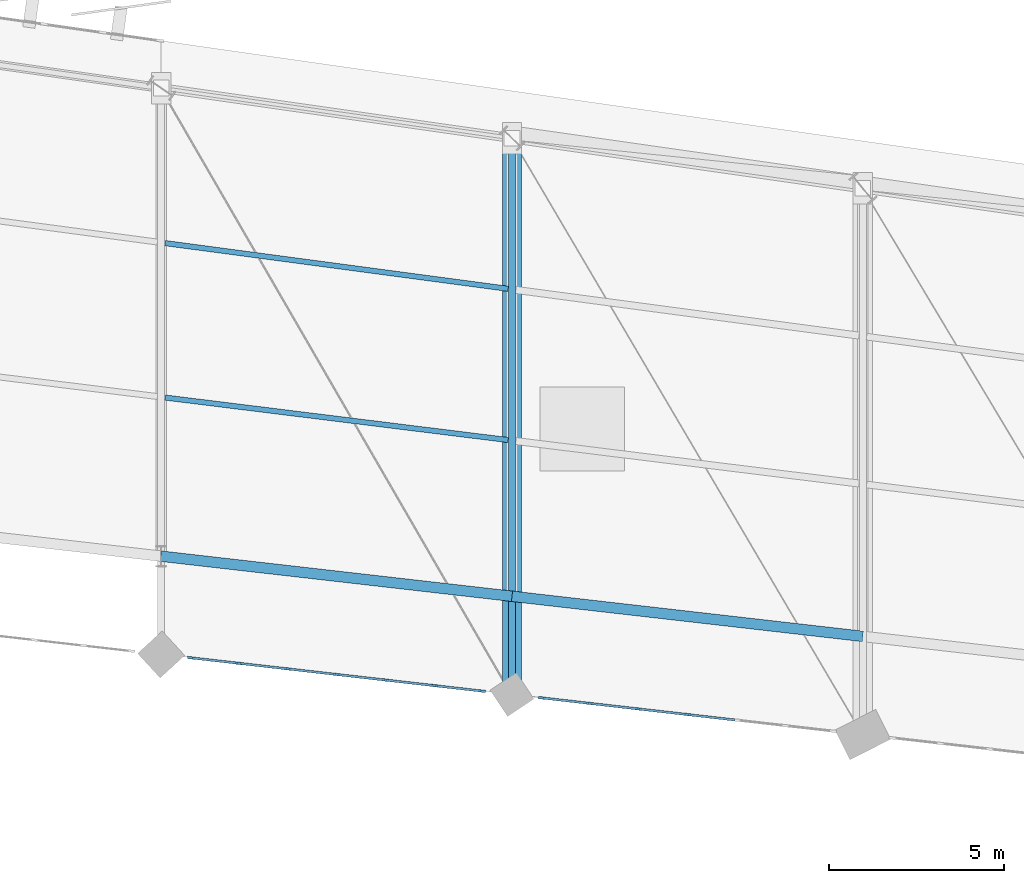
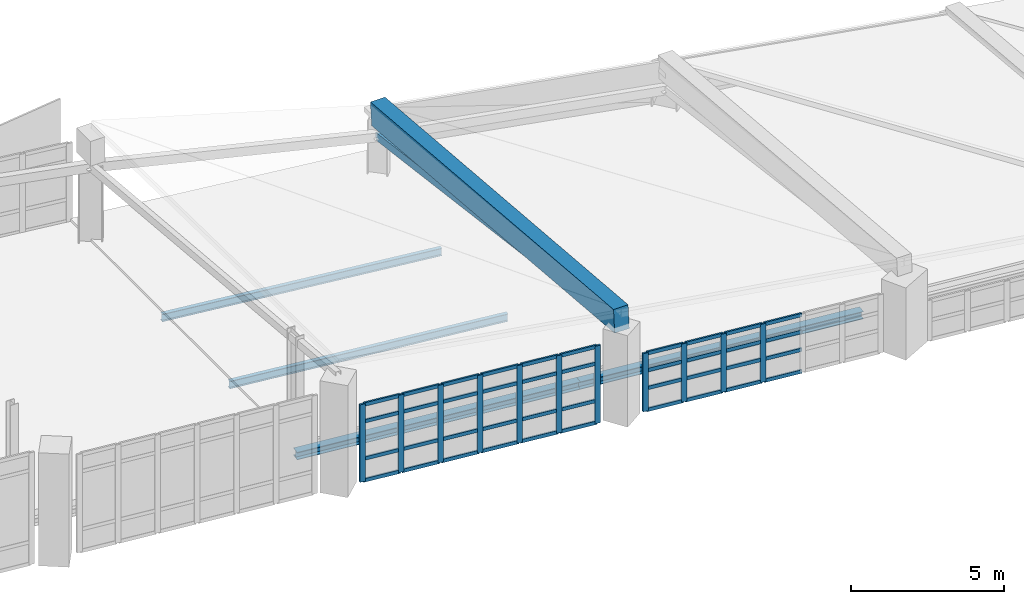
# One storey, part 40 of 67: 52 members, 5 beams, 2 elements without a shape of their own.
"""IFC4 building model written with IfcOpenShell, lengths in metres."""

from ifc_helpers import new_model, si_unit, direction, frame, origin, origin_2d, place, context, subcontext, project, spatial, rectangle, hollow_rectangle, i_section, extrude, material, layer, layer_set, material_profile, profile_set, type_object, element, aggregate, save


model = new_model("IFC4")

# Units and contexts
model_context = context("Model", 3, precision=1e-05, world=origin(), true_north=direction((0.0, 1.0)))
body_context = subcontext(model_context, "Body", "Model", "MODEL_VIEW")
ifc_project = project(units=[si_unit("LENGTHUNIT", "METRE"), si_unit("AREAUNIT", "SQUARE_METRE"), si_unit("VOLUMEUNIT", "CUBIC_METRE"), si_unit("PLANEANGLEUNIT", "RADIAN"), si_unit("MASSUNIT", "GRAM", prefix="KILO")], contexts=[model_context])

# Site, building, storey
site_placement = place(None, origin())
site = spatial("IfcSite", under=ifc_project, at=site_placement, CompositionType="ELEMENT")
building_placement = place(site_placement, origin())
building = spatial("IfcBuilding", under=site, at=building_placement, Name="Sohan Crest Arena", CompositionType="ELEMENT")
storey_placement = place(building_placement, frame((0.0, 0.0, 22.5)))
storey = spatial("IfcBuildingStorey", under=building, at=storey_placement, Name="L05", CompositionType="ELEMENT", Elevation=22.5)

# Curtain wall, members
ifc_material_1 = material(Name="Thermally broken anodised aluminium", Category="aluminium")
ifc_layer = layer(ifc_material_1, 0.18994140625, Name="Thermally broken anodised aluminium")
ifc_layer_set = layer_set([ifc_layer], Name="Thermally broken anodised aluminium")
curtain_wall_type = type_object("IfcCurtainWallType", Name="ARC-CW05", PredefinedType="NOTDEFINED", material=ifc_layer_set)
curtain_wall_1_placement = place(storey_placement, origin())
curtain_wall_1 = element("IfcCurtainWall", 1, at=curtain_wall_1_placement, inside=storey, type_object=curtain_wall_type, Name="Unitised curtain wall CW-196", PredefinedType="NOTDEFINED")
ifc_material_profile_1 = material_profile(ifc_material_1, rectangle(XDim=0.070068359375, YDim=0.199951171875, at=origin_2d()), Name="ALU-MULL 70x200")
ifc_profile_set_1 = profile_set([ifc_material_profile_1], Name="Thermally broken anodised aluminium")
member_type_1 = type_object("IfcMemberType", Name="ARC-CW-ML03", PredefinedType="MULLION", material=ifc_profile_set_1)
member_1_placement = place(storey_placement, frame((143.0, 103.857421875, 0.0), z_axis=(0.0, 0.0, 1.0), x_axis=(-0.11359680696, -0.993526932422, 0.0)))
member_1 = element("IfcMember", 2, at=member_1_placement, type_object=member_type_1, Name="CW-196 mullion 4", PredefinedType="MULLION", context=body_context, shape_type="SweptSolid", body=[
    extrude(rectangle(XDim=0.070068359375, YDim=0.199951171875, at=origin_2d()), origin(), (0.0, 0.0, 1.0), 2.31298828125),
])
member_2_placement = place(storey_placement, frame((141.60498046875, 104.01708984375, 0.0), z_axis=(0.0, 0.0, 1.0), x_axis=(-0.11359680696, -0.993526932422, 0.0)))
member_2 = element("IfcMember", 3, at=member_2_placement, type_object=member_type_1, Name="CW-196 mullion 5", PredefinedType="MULLION", context=body_context, shape_type="SweptSolid", body=[
    extrude(rectangle(XDim=0.070068359375, YDim=0.199951171875, at=origin_2d()), origin(), (0.0, 0.0, 1.0), 2.31298828125),
])
member_3_placement = place(storey_placement, frame((140.2099609375, 104.176513671875, 0.0), z_axis=(0.0, 0.0, 1.0), x_axis=(-0.11359680696, -0.993526932422, 0.0)))
member_3 = element("IfcMember", 4, at=member_3_placement, type_object=member_type_1, Name="CW-196 mullion 6", PredefinedType="MULLION", context=body_context, shape_type="SweptSolid", body=[
    extrude(rectangle(XDim=0.070068359375, YDim=0.199951171875, at=origin_2d()), origin(), (0.0, 0.0, 1.0), 2.31298828125),
])
member_4_placement = place(storey_placement, frame((138.849853515625, 104.33203125, 0.0), z_axis=(0.0, 0.0, 1.0), x_axis=(-0.11359680696, -0.993526932422, 0.0)))
member_4 = element("IfcMember", 5, at=member_4_placement, type_object=member_type_1, Name="CW-196 mullion 7", PredefinedType="MULLION", context=body_context, shape_type="SweptSolid", body=[
    extrude(rectangle(XDim=0.070068359375, YDim=0.199951171875, at=origin_2d()), origin(), (0.0, 0.0, 1.0), 2.31298828125),
])

curtain_wall_2_placement = place(storey_placement, origin())
curtain_wall_2 = element("IfcCurtainWall", 6, at=curtain_wall_2_placement, inside=storey, type_object=curtain_wall_type, Name="Unitised curtain wall CW-197", PredefinedType="NOTDEFINED")
member_5_placement = place(storey_placement, frame((137.150146484375, 104.52587890625, 0.0), z_axis=(0.0, 0.0, 1.0), x_axis=(-0.1134796354, -0.993540322458, 0.0)))
member_5 = element("IfcMember", 7, at=member_5_placement, type_object=member_type_1, Name="CW-197 mullion 1", PredefinedType="MULLION", context=body_context, shape_type="SweptSolid", body=[
    extrude(rectangle(XDim=0.070068359375, YDim=0.199951171875, at=origin_2d()), origin(), (0.0, 0.0, 1.0), 3.0849609375),
])
member_6_placement = place(storey_placement, frame((135.7900390625, 104.681396484375, 0.0), z_axis=(0.0, 0.0, 1.0), x_axis=(-0.1134796354, -0.993540322458, 0.0)))
member_6 = element("IfcMember", 8, at=member_6_placement, type_object=member_type_1, Name="CW-197 mullion 2", PredefinedType="MULLION", context=body_context, shape_type="SweptSolid", body=[
    extrude(rectangle(XDim=0.070068359375, YDim=0.199951171875, at=origin_2d()), origin(), (0.0, 0.0, 1.0), 3.0849609375),
])
member_7_placement = place(storey_placement, frame((134.39501953125, 104.840576171875, 0.0), z_axis=(0.0, 0.0, 1.0), x_axis=(-0.1134796354, -0.993540322458, 0.0)))
member_7 = element("IfcMember", 9, at=member_7_placement, type_object=member_type_1, Name="CW-197 mullion 3", PredefinedType="MULLION", context=body_context, shape_type="SweptSolid", body=[
    extrude(rectangle(XDim=0.070068359375, YDim=0.199951171875, at=origin_2d()), origin(), (0.0, 0.0, 1.0), 3.0849609375),
])
member_8_placement = place(storey_placement, frame((133.0, 105.0, 0.0), z_axis=(0.0, 0.0, 1.0), x_axis=(-0.1134796354, -0.993540322458, 0.0)))
member_8 = element("IfcMember", 10, at=member_8_placement, type_object=member_type_1, Name="CW-197 mullion 4", PredefinedType="MULLION", context=body_context, shape_type="SweptSolid", body=[
    extrude(rectangle(XDim=0.070068359375, YDim=0.199951171875, at=origin_2d()), origin(), (0.0, 0.0, 1.0), 3.0849609375),
])
member_9_placement = place(storey_placement, frame((131.60498046875, 105.159423828125, 0.0), z_axis=(0.0, 0.0, 1.0), x_axis=(-0.1134796354, -0.993540322458, 0.0)))
member_9 = element("IfcMember", 11, at=member_9_placement, type_object=member_type_1, Name="CW-197 mullion 5", PredefinedType="MULLION", context=body_context, shape_type="SweptSolid", body=[
    extrude(rectangle(XDim=0.070068359375, YDim=0.199951171875, at=origin_2d()), origin(), (0.0, 0.0, 1.0), 3.0849609375),
])
member_10_placement = place(storey_placement, frame((130.2099609375, 105.318603515625, 0.0), z_axis=(0.0, 0.0, 1.0), x_axis=(-0.1134796354, -0.993540322458, 0.0)))
member_10 = element("IfcMember", 12, at=member_10_placement, type_object=member_type_1, Name="CW-197 mullion 6", PredefinedType="MULLION", context=body_context, shape_type="SweptSolid", body=[
    extrude(rectangle(XDim=0.070068359375, YDim=0.199951171875, at=origin_2d()), origin(), (0.0, 0.0, 1.0), 3.0849609375),
])
member_11_placement = place(storey_placement, frame((128.849853515625, 105.47412109375, 0.0), z_axis=(0.0, 0.0, 1.0), x_axis=(-0.1134796354, -0.993540322458, 0.0)))
member_11 = element("IfcMember", 13, at=member_11_placement, type_object=member_type_1, Name="CW-197 mullion 7", PredefinedType="MULLION", context=body_context, shape_type="SweptSolid", body=[
    extrude(rectangle(XDim=0.070068359375, YDim=0.199951171875, at=origin_2d()), origin(), (0.0, 0.0, 1.0), 3.0849609375),
])

# Member
ifc_material_profile_2 = material_profile(ifc_material_1, rectangle(XDim=0.06494140625, YDim=0.139892578125, at=origin_2d()), Name="ALU-TRAN 65x140")
ifc_profile_set_2 = profile_set([ifc_material_profile_2], Name="Thermally broken anodised aluminium")
member_type_2 = type_object("IfcMemberType", Name="ARC-CW-TR02", PredefinedType="USERDEFINED", material=ifc_profile_set_2)
member_12_placement = place(storey_placement, frame((144.360107421875, 103.701904296875, 0.032470703125), z_axis=(-0.993521460563, 0.113644654082, 0.0), x_axis=(-0.113644654082, -0.993521460563, 0.0)))
member_12 = element("IfcMember", 14, at=member_12_placement, type_object=member_type_2, Name="CW-196 transom 3.1", ObjectType="TRANSOM", PredefinedType="USERDEFINED", context=body_context, shape_type="SweptSolid", body=[
    extrude(rectangle(XDim=0.06494140625, YDim=0.139892578125, at=origin_2d()), origin(), (0.0, 0.0, 1.0), 1.333984375),
])

member_13_placement = place(storey_placement, frame((144.360107421875, 103.701904296875, 0.89990234375), z_axis=(-0.993521460563, 0.113644654082, 0.0), x_axis=(-0.113644654082, -0.993521460563, 0.0)))
member_13 = element("IfcMember", 15, at=member_13_placement, type_object=member_type_2, Name="CW-196 transom 3.2", ObjectType="TRANSOM", PredefinedType="USERDEFINED", context=body_context, shape_type="SweptSolid", body=[
    extrude(rectangle(XDim=0.06494140625, YDim=0.139892578125, at=origin_2d()), origin(), (0.0, 0.0, 1.0), 1.333984375),
])

member_14_placement = place(storey_placement, frame((144.360107421875, 103.701904296875, 1.613037109375), z_axis=(-0.993521460563, 0.113644654082, 0.0), x_axis=(-0.113644654082, -0.993521460563, 0.0)))
member_14 = element("IfcMember", 16, at=member_14_placement, type_object=member_type_2, Name="CW-196 transom 3.3", ObjectType="TRANSOM", PredefinedType="USERDEFINED", context=body_context, shape_type="SweptSolid", body=[
    extrude(rectangle(XDim=0.06494140625, YDim=0.139892578125, at=origin_2d()), origin(), (0.0, 0.0, 1.0), 1.333984375),
])

member_15_placement = place(storey_placement, frame((144.360107421875, 103.701904296875, 2.280517578125), z_axis=(-0.993521460563, 0.113644654082, 0.0), x_axis=(-0.113644654082, -0.993521460563, 0.0)))
member_15 = element("IfcMember", 17, at=member_15_placement, type_object=member_type_2, Name="CW-196 transom 3.4", ObjectType="TRANSOM", PredefinedType="USERDEFINED", context=body_context, shape_type="SweptSolid", body=[
    extrude(rectangle(XDim=0.06494140625, YDim=0.139892578125, at=origin_2d()), origin(), (0.0, 0.0, 1.0), 1.333984375),
])

member_16_placement = place(storey_placement, frame((142.96533203125, 103.861572265625, 0.032470703125), z_axis=(-0.993542107108, 0.113464009285, 0.0), x_axis=(-0.113464009285, -0.993542107108, 0.0)))
member_16 = element("IfcMember", 18, at=member_16_placement, type_object=member_type_2, Name="CW-196 transom 4.1", ObjectType="TRANSOM", PredefinedType="USERDEFINED", context=body_context, shape_type="SweptSolid", body=[
    extrude(rectangle(XDim=0.06494140625, YDim=0.139892578125, at=origin_2d()), origin(), (0.0, 0.0, 1.0), 1.333984375),
])

member_17_placement = place(storey_placement, frame((142.96533203125, 103.861572265625, 0.89990234375), z_axis=(-0.993542107108, 0.113464009285, 0.0), x_axis=(-0.113464009285, -0.993542107108, 0.0)))
member_17 = element("IfcMember", 19, at=member_17_placement, type_object=member_type_2, Name="CW-196 transom 4.2", ObjectType="TRANSOM", PredefinedType="USERDEFINED", context=body_context, shape_type="SweptSolid", body=[
    extrude(rectangle(XDim=0.06494140625, YDim=0.139892578125, at=origin_2d()), origin(), (0.0, 0.0, 1.0), 1.333984375),
])

member_18_placement = place(storey_placement, frame((142.96533203125, 103.861572265625, 1.613037109375), z_axis=(-0.993542107108, 0.113464009285, 0.0), x_axis=(-0.113464009285, -0.993542107108, 0.0)))
member_18 = element("IfcMember", 20, at=member_18_placement, type_object=member_type_2, Name="CW-196 transom 4.3", ObjectType="TRANSOM", PredefinedType="USERDEFINED", context=body_context, shape_type="SweptSolid", body=[
    extrude(rectangle(XDim=0.06494140625, YDim=0.139892578125, at=origin_2d()), origin(), (0.0, 0.0, 1.0), 1.333984375),
])

member_19_placement = place(storey_placement, frame((142.96533203125, 103.861572265625, 2.280517578125), z_axis=(-0.993542107108, 0.113464009285, 0.0), x_axis=(-0.113464009285, -0.993542107108, 0.0)))
member_19 = element("IfcMember", 21, at=member_19_placement, type_object=member_type_2, Name="CW-196 transom 4.4", ObjectType="TRANSOM", PredefinedType="USERDEFINED", context=body_context, shape_type="SweptSolid", body=[
    extrude(rectangle(XDim=0.06494140625, YDim=0.139892578125, at=origin_2d()), origin(), (0.0, 0.0, 1.0), 1.333984375),
])

member_20_placement = place(storey_placement, frame((141.5703125, 104.02099609375, 0.032470703125), z_axis=(-0.993521460563, 0.113644654082, 0.0), x_axis=(-0.113644654082, -0.993521460563, 0.0)))
member_20 = element("IfcMember", 22, at=member_20_placement, type_object=member_type_2, Name="CW-196 transom 5.1", ObjectType="TRANSOM", PredefinedType="USERDEFINED", context=body_context, shape_type="SweptSolid", body=[
    extrude(rectangle(XDim=0.06494140625, YDim=0.139892578125, at=origin_2d()), origin(), (0.0, 0.0, 1.0), 1.333984375),
])

member_21_placement = place(storey_placement, frame((141.5703125, 104.02099609375, 0.89990234375), z_axis=(-0.993521460563, 0.113644654082, 0.0), x_axis=(-0.113644654082, -0.993521460563, 0.0)))
member_21 = element("IfcMember", 23, at=member_21_placement, type_object=member_type_2, Name="CW-196 transom 5.2", ObjectType="TRANSOM", PredefinedType="USERDEFINED", context=body_context, shape_type="SweptSolid", body=[
    extrude(rectangle(XDim=0.06494140625, YDim=0.139892578125, at=origin_2d()), origin(), (0.0, 0.0, 1.0), 1.333984375),
])

member_22_placement = place(storey_placement, frame((141.5703125, 104.02099609375, 1.613037109375), z_axis=(-0.993521460563, 0.113644654082, 0.0), x_axis=(-0.113644654082, -0.993521460563, 0.0)))
member_22 = element("IfcMember", 24, at=member_22_placement, type_object=member_type_2, Name="CW-196 transom 5.3", ObjectType="TRANSOM", PredefinedType="USERDEFINED", context=body_context, shape_type="SweptSolid", body=[
    extrude(rectangle(XDim=0.06494140625, YDim=0.139892578125, at=origin_2d()), origin(), (0.0, 0.0, 1.0), 1.333984375),
])

member_23_placement = place(storey_placement, frame((141.5703125, 104.02099609375, 2.280517578125), z_axis=(-0.993521460563, 0.113644654082, 0.0), x_axis=(-0.113644654082, -0.993521460563, 0.0)))
member_23 = element("IfcMember", 25, at=member_23_placement, type_object=member_type_2, Name="CW-196 transom 5.4", ObjectType="TRANSOM", PredefinedType="USERDEFINED", context=body_context, shape_type="SweptSolid", body=[
    extrude(rectangle(XDim=0.06494140625, YDim=0.139892578125, at=origin_2d()), origin(), (0.0, 0.0, 1.0), 1.333984375),
])

member_24_placement = place(storey_placement, frame((140.17529296875, 104.180419921875, 0.032470703125), z_axis=(-0.99351630859, 0.113689685398, 0.0), x_axis=(-0.113689685398, -0.99351630859, 0.0)))
member_24 = element("IfcMember", 26, at=member_24_placement, type_object=member_type_2, Name="CW-196 transom 6.1", ObjectType="TRANSOM", PredefinedType="USERDEFINED", context=body_context, shape_type="SweptSolid", body=[
    extrude(rectangle(XDim=0.06494140625, YDim=0.139892578125, at=origin_2d()), origin(), (0.0, 0.0, 1.0), 1.29931640625),
])

member_25_placement = place(storey_placement, frame((140.17529296875, 104.180419921875, 0.89990234375), z_axis=(-0.99351630859, 0.113689685398, 0.0), x_axis=(-0.113689685398, -0.99351630859, 0.0)))
member_25 = element("IfcMember", 27, at=member_25_placement, type_object=member_type_2, Name="CW-196 transom 6.2", ObjectType="TRANSOM", PredefinedType="USERDEFINED", context=body_context, shape_type="SweptSolid", body=[
    extrude(rectangle(XDim=0.06494140625, YDim=0.139892578125, at=origin_2d()), origin(), (0.0, 0.0, 1.0), 1.29931640625),
])

member_26_placement = place(storey_placement, frame((140.17529296875, 104.180419921875, 1.613037109375), z_axis=(-0.99351630859, 0.113689685398, 0.0), x_axis=(-0.113689685398, -0.99351630859, 0.0)))
member_26 = element("IfcMember", 28, at=member_26_placement, type_object=member_type_2, Name="CW-196 transom 6.3", ObjectType="TRANSOM", PredefinedType="USERDEFINED", context=body_context, shape_type="SweptSolid", body=[
    extrude(rectangle(XDim=0.06494140625, YDim=0.139892578125, at=origin_2d()), origin(), (0.0, 0.0, 1.0), 1.29931640625),
])

member_27_placement = place(storey_placement, frame((140.17529296875, 104.180419921875, 2.280517578125), z_axis=(-0.99351630859, 0.113689685398, 0.0), x_axis=(-0.113689685398, -0.99351630859, 0.0)))
member_27 = element("IfcMember", 29, at=member_27_placement, type_object=member_type_2, Name="CW-196 transom 6.4", ObjectType="TRANSOM", PredefinedType="USERDEFINED", context=body_context, shape_type="SweptSolid", body=[
    extrude(rectangle(XDim=0.06494140625, YDim=0.139892578125, at=origin_2d()), origin(), (0.0, 0.0, 1.0), 1.29931640625),
])

aggregate(curtain_wall_1, [member_1, member_2, member_3, member_4, member_12, member_13, member_14, member_15, member_16, member_17, member_18, member_19, member_20, member_21, member_22, member_23, member_24, member_25, member_26, member_27])

member_28_placement = place(storey_placement, frame((137.115478515625, 104.530029296875, 0.032470703125), z_axis=(-0.993558692508, 0.113318685754, 0.0), x_axis=(-0.113318685754, -0.993558692508, 0.0)))
member_28 = element("IfcMember", 30, at=member_28_placement, type_object=member_type_2, Name="CW-197 transom 1.1", ObjectType="TRANSOM", PredefinedType="USERDEFINED", context=body_context, shape_type="SweptSolid", body=[
    extrude(rectangle(XDim=0.06494140625, YDim=0.139892578125, at=origin_2d()), origin(), (0.0, 0.0, 1.0), 1.299072265625),
])

member_29_placement = place(storey_placement, frame((137.115478515625, 104.530029296875, 0.89990234375), z_axis=(-0.993558692508, 0.113318685754, 0.0), x_axis=(-0.113318685754, -0.993558692508, 0.0)))
member_29 = element("IfcMember", 31, at=member_29_placement, type_object=member_type_2, Name="CW-197 transom 1.2", ObjectType="TRANSOM", PredefinedType="USERDEFINED", context=body_context, shape_type="SweptSolid", body=[
    extrude(rectangle(XDim=0.06494140625, YDim=0.139892578125, at=origin_2d()), origin(), (0.0, 0.0, 1.0), 1.299072265625),
])

member_30_placement = place(storey_placement, frame((137.115478515625, 104.530029296875, 2.385009765625), z_axis=(-0.993558692508, 0.113318685754, 0.0), x_axis=(-0.113318685754, -0.993558692508, 0.0)))
member_30 = element("IfcMember", 32, at=member_30_placement, type_object=member_type_2, Name="CW-197 transom 1.3", ObjectType="TRANSOM", PredefinedType="USERDEFINED", context=body_context, shape_type="SweptSolid", body=[
    extrude(rectangle(XDim=0.06494140625, YDim=0.139892578125, at=origin_2d()), origin(), (0.0, 0.0, 1.0), 1.299072265625),
])

member_31_placement = place(storey_placement, frame((137.115478515625, 104.530029296875, 3.052490234375), z_axis=(-0.993558692508, 0.113318685754, 0.0), x_axis=(-0.113318685754, -0.993558692508, 0.0)))
member_31 = element("IfcMember", 33, at=member_31_placement, type_object=member_type_2, Name="CW-197 transom 1.4", ObjectType="TRANSOM", PredefinedType="USERDEFINED", context=body_context, shape_type="SweptSolid", body=[
    extrude(rectangle(XDim=0.06494140625, YDim=0.139892578125, at=origin_2d()), origin(), (0.0, 0.0, 1.0), 1.299072265625),
])

member_32_placement = place(storey_placement, frame((135.755126953125, 104.685302734375, 0.032470703125), z_axis=(-0.993542107108, 0.113464009285, 0.0), x_axis=(-0.113464009285, -0.993542107108, 0.0)))
member_32 = element("IfcMember", 34, at=member_32_placement, type_object=member_type_2, Name="CW-197 transom 2.1", ObjectType="TRANSOM", PredefinedType="USERDEFINED", context=body_context, shape_type="SweptSolid", body=[
    extrude(rectangle(XDim=0.06494140625, YDim=0.139892578125, at=origin_2d()), origin(), (0.0, 0.0, 1.0), 1.333984375),
])

member_33_placement = place(storey_placement, frame((135.755126953125, 104.685302734375, 0.89990234375), z_axis=(-0.993542107108, 0.113464009285, 0.0), x_axis=(-0.113464009285, -0.993542107108, 0.0)))
member_33 = element("IfcMember", 35, at=member_33_placement, type_object=member_type_2, Name="CW-197 transom 2.2", ObjectType="TRANSOM", PredefinedType="USERDEFINED", context=body_context, shape_type="SweptSolid", body=[
    extrude(rectangle(XDim=0.06494140625, YDim=0.139892578125, at=origin_2d()), origin(), (0.0, 0.0, 1.0), 1.333984375),
])

member_34_placement = place(storey_placement, frame((135.755126953125, 104.685302734375, 2.385009765625), z_axis=(-0.993542107108, 0.113464009285, 0.0), x_axis=(-0.113464009285, -0.993542107108, 0.0)))
member_34 = element("IfcMember", 36, at=member_34_placement, type_object=member_type_2, Name="CW-197 transom 2.3", ObjectType="TRANSOM", PredefinedType="USERDEFINED", context=body_context, shape_type="SweptSolid", body=[
    extrude(rectangle(XDim=0.06494140625, YDim=0.139892578125, at=origin_2d()), origin(), (0.0, 0.0, 1.0), 1.333984375),
])

member_35_placement = place(storey_placement, frame((135.755126953125, 104.685302734375, 3.052490234375), z_axis=(-0.993542107108, 0.113464009285, 0.0), x_axis=(-0.113464009285, -0.993542107108, 0.0)))
member_35 = element("IfcMember", 37, at=member_35_placement, type_object=member_type_2, Name="CW-197 transom 2.4", ObjectType="TRANSOM", PredefinedType="USERDEFINED", context=body_context, shape_type="SweptSolid", body=[
    extrude(rectangle(XDim=0.06494140625, YDim=0.139892578125, at=origin_2d()), origin(), (0.0, 0.0, 1.0), 1.333984375),
])

member_36_placement = place(storey_placement, frame((134.360107421875, 104.8447265625, 0.032470703125), z_axis=(-0.993542107108, 0.113464009285, 0.0), x_axis=(-0.113464009285, -0.993542107108, 0.0)))
member_36 = element("IfcMember", 38, at=member_36_placement, type_object=member_type_2, Name="CW-197 transom 3.1", ObjectType="TRANSOM", PredefinedType="USERDEFINED", context=body_context, shape_type="SweptSolid", body=[
    extrude(rectangle(XDim=0.06494140625, YDim=0.139892578125, at=origin_2d()), origin(), (0.0, 0.0, 1.0), 1.333984375),
])

member_37_placement = place(storey_placement, frame((134.360107421875, 104.8447265625, 0.89990234375), z_axis=(-0.993542107108, 0.113464009285, 0.0), x_axis=(-0.113464009285, -0.993542107108, 0.0)))
member_37 = element("IfcMember", 39, at=member_37_placement, type_object=member_type_2, Name="CW-197 transom 3.2", ObjectType="TRANSOM", PredefinedType="USERDEFINED", context=body_context, shape_type="SweptSolid", body=[
    extrude(rectangle(XDim=0.06494140625, YDim=0.139892578125, at=origin_2d()), origin(), (0.0, 0.0, 1.0), 1.333984375),
])

member_38_placement = place(storey_placement, frame((134.360107421875, 104.8447265625, 2.385009765625), z_axis=(-0.993542107108, 0.113464009285, 0.0), x_axis=(-0.113464009285, -0.993542107108, 0.0)))
member_38 = element("IfcMember", 40, at=member_38_placement, type_object=member_type_2, Name="CW-197 transom 3.3", ObjectType="TRANSOM", PredefinedType="USERDEFINED", context=body_context, shape_type="SweptSolid", body=[
    extrude(rectangle(XDim=0.06494140625, YDim=0.139892578125, at=origin_2d()), origin(), (0.0, 0.0, 1.0), 1.333984375),
])

member_39_placement = place(storey_placement, frame((134.360107421875, 104.8447265625, 3.052490234375), z_axis=(-0.993542107108, 0.113464009285, 0.0), x_axis=(-0.113464009285, -0.993542107108, 0.0)))
member_39 = element("IfcMember", 41, at=member_39_placement, type_object=member_type_2, Name="CW-197 transom 3.4", ObjectType="TRANSOM", PredefinedType="USERDEFINED", context=body_context, shape_type="SweptSolid", body=[
    extrude(rectangle(XDim=0.06494140625, YDim=0.139892578125, at=origin_2d()), origin(), (0.0, 0.0, 1.0), 1.333984375),
])

member_40_placement = place(storey_placement, frame((132.96533203125, 105.00390625, 0.032470703125), z_axis=(-0.993542107108, 0.113464009285, 0.0), x_axis=(-0.113464009285, -0.993542107108, 0.0)))
member_40 = element("IfcMember", 42, at=member_40_placement, type_object=member_type_2, Name="CW-197 transom 4.1", ObjectType="TRANSOM", PredefinedType="USERDEFINED", context=body_context, shape_type="SweptSolid", body=[
    extrude(rectangle(XDim=0.06494140625, YDim=0.139892578125, at=origin_2d()), origin(), (0.0, 0.0, 1.0), 1.333984375),
])

member_41_placement = place(storey_placement, frame((132.96533203125, 105.00390625, 0.89990234375), z_axis=(-0.993542107108, 0.113464009285, 0.0), x_axis=(-0.113464009285, -0.993542107108, 0.0)))
member_41 = element("IfcMember", 43, at=member_41_placement, type_object=member_type_2, Name="CW-197 transom 4.2", ObjectType="TRANSOM", PredefinedType="USERDEFINED", context=body_context, shape_type="SweptSolid", body=[
    extrude(rectangle(XDim=0.06494140625, YDim=0.139892578125, at=origin_2d()), origin(), (0.0, 0.0, 1.0), 1.333984375),
])

member_42_placement = place(storey_placement, frame((132.96533203125, 105.00390625, 2.385009765625), z_axis=(-0.993542107108, 0.113464009285, 0.0), x_axis=(-0.113464009285, -0.993542107108, 0.0)))
member_42 = element("IfcMember", 44, at=member_42_placement, type_object=member_type_2, Name="CW-197 transom 4.3", ObjectType="TRANSOM", PredefinedType="USERDEFINED", context=body_context, shape_type="SweptSolid", body=[
    extrude(rectangle(XDim=0.06494140625, YDim=0.139892578125, at=origin_2d()), origin(), (0.0, 0.0, 1.0), 1.333984375),
])

member_43_placement = place(storey_placement, frame((132.96533203125, 105.00390625, 3.052490234375), z_axis=(-0.993542107108, 0.113464009285, 0.0), x_axis=(-0.113464009285, -0.993542107108, 0.0)))
member_43 = element("IfcMember", 45, at=member_43_placement, type_object=member_type_2, Name="CW-197 transom 4.4", ObjectType="TRANSOM", PredefinedType="USERDEFINED", context=body_context, shape_type="SweptSolid", body=[
    extrude(rectangle(XDim=0.06494140625, YDim=0.139892578125, at=origin_2d()), origin(), (0.0, 0.0, 1.0), 1.333984375),
])

member_44_placement = place(storey_placement, frame((131.5703125, 105.163330078125, 0.032470703125), z_axis=(-0.993542107108, 0.113464009285, 0.0), x_axis=(-0.113464009285, -0.993542107108, 0.0)))
member_44 = element("IfcMember", 46, at=member_44_placement, type_object=member_type_2, Name="CW-197 transom 5.1", ObjectType="TRANSOM", PredefinedType="USERDEFINED", context=body_context, shape_type="SweptSolid", body=[
    extrude(rectangle(XDim=0.06494140625, YDim=0.139892578125, at=origin_2d()), origin(), (0.0, 0.0, 1.0), 1.333984375),
])

member_45_placement = place(storey_placement, frame((131.5703125, 105.163330078125, 0.89990234375), z_axis=(-0.993542107108, 0.113464009285, 0.0), x_axis=(-0.113464009285, -0.993542107108, 0.0)))
member_45 = element("IfcMember", 47, at=member_45_placement, type_object=member_type_2, Name="CW-197 transom 5.2", ObjectType="TRANSOM", PredefinedType="USERDEFINED", context=body_context, shape_type="SweptSolid", body=[
    extrude(rectangle(XDim=0.06494140625, YDim=0.139892578125, at=origin_2d()), origin(), (0.0, 0.0, 1.0), 1.333984375),
])

member_46_placement = place(storey_placement, frame((131.5703125, 105.163330078125, 2.385009765625), z_axis=(-0.993542107108, 0.113464009285, 0.0), x_axis=(-0.113464009285, -0.993542107108, 0.0)))
member_46 = element("IfcMember", 48, at=member_46_placement, type_object=member_type_2, Name="CW-197 transom 5.3", ObjectType="TRANSOM", PredefinedType="USERDEFINED", context=body_context, shape_type="SweptSolid", body=[
    extrude(rectangle(XDim=0.06494140625, YDim=0.139892578125, at=origin_2d()), origin(), (0.0, 0.0, 1.0), 1.333984375),
])

member_47_placement = place(storey_placement, frame((131.5703125, 105.163330078125, 3.052490234375), z_axis=(-0.993542107108, 0.113464009285, 0.0), x_axis=(-0.113464009285, -0.993542107108, 0.0)))
member_47 = element("IfcMember", 49, at=member_47_placement, type_object=member_type_2, Name="CW-197 transom 5.4", ObjectType="TRANSOM", PredefinedType="USERDEFINED", context=body_context, shape_type="SweptSolid", body=[
    extrude(rectangle(XDim=0.06494140625, YDim=0.139892578125, at=origin_2d()), origin(), (0.0, 0.0, 1.0), 1.333984375),
])

member_48_placement = place(storey_placement, frame((130.17529296875, 105.32275390625, 0.032470703125), z_axis=(-0.993558692508, 0.113318685754, 0.0), x_axis=(-0.113318685754, -0.993558692508, 0.0)))
member_48 = element("IfcMember", 50, at=member_48_placement, type_object=member_type_2, Name="CW-197 transom 6.1", ObjectType="TRANSOM", PredefinedType="USERDEFINED", context=body_context, shape_type="SweptSolid", body=[
    extrude(rectangle(XDim=0.06494140625, YDim=0.139892578125, at=origin_2d()), origin(), (0.0, 0.0, 1.0), 1.299072265625),
])

member_49_placement = place(storey_placement, frame((130.17529296875, 105.32275390625, 0.89990234375), z_axis=(-0.993558692508, 0.113318685754, 0.0), x_axis=(-0.113318685754, -0.993558692508, 0.0)))
member_49 = element("IfcMember", 51, at=member_49_placement, type_object=member_type_2, Name="CW-197 transom 6.2", ObjectType="TRANSOM", PredefinedType="USERDEFINED", context=body_context, shape_type="SweptSolid", body=[
    extrude(rectangle(XDim=0.06494140625, YDim=0.139892578125, at=origin_2d()), origin(), (0.0, 0.0, 1.0), 1.299072265625),
])

member_50_placement = place(storey_placement, frame((130.17529296875, 105.32275390625, 2.385009765625), z_axis=(-0.993558692508, 0.113318685754, 0.0), x_axis=(-0.113318685754, -0.993558692508, 0.0)))
member_50 = element("IfcMember", 52, at=member_50_placement, type_object=member_type_2, Name="CW-197 transom 6.3", ObjectType="TRANSOM", PredefinedType="USERDEFINED", context=body_context, shape_type="SweptSolid", body=[
    extrude(rectangle(XDim=0.06494140625, YDim=0.139892578125, at=origin_2d()), origin(), (0.0, 0.0, 1.0), 1.299072265625),
])

member_51_placement = place(storey_placement, frame((130.17529296875, 105.32275390625, 3.052490234375), z_axis=(-0.993558692508, 0.113318685754, 0.0), x_axis=(-0.113318685754, -0.993558692508, 0.0)))
member_51 = element("IfcMember", 53, at=member_51_placement, type_object=member_type_2, Name="CW-197 transom 6.4", ObjectType="TRANSOM", PredefinedType="USERDEFINED", context=body_context, shape_type="SweptSolid", body=[
    extrude(rectangle(XDim=0.06494140625, YDim=0.139892578125, at=origin_2d()), origin(), (0.0, 0.0, 1.0), 1.299072265625),
])

aggregate(curtain_wall_2, [member_5, member_6, member_7, member_8, member_9, member_10, member_11, member_28, member_29, member_30, member_31, member_32, member_33, member_34, member_35, member_36, member_37, member_38, member_39, member_40, member_41, member_42, member_43, member_44, member_45, member_46, member_47, member_48, member_49, member_50, member_51])

# Beams
ifc_material_2 = material(Name="Steel S355", Category="steel")
ifc_material_profile_3 = material_profile(ifc_material_2, i_section(OverallWidth=0.14990234375, OverallDepth=0.300048828125, WebThickness=0.007080078125, FlangeThickness=0.0107421875, at=origin_2d()), Name="IPE 300")
ifc_profile_set_3 = profile_set([ifc_material_profile_3], Name="Steel S355")
beam_type_1 = type_object("IfcBeamType", Name="STR-BM-B01", PredefinedType="JOIST", material=ifc_profile_set_3)
beam_1_placement = place(storey_placement, frame((137.89111328125, 111.681884765625, -0.3701171875), z_axis=(-0.992409914467, 0.122973825131, 0.0), x_axis=(-0.122973825131, -0.992409914467, 0.0)))
element("IfcBeam", 54, at=beam_1_placement, inside=storey, type_object=beam_type_1, Name="Structural beam J-L05-1849", PredefinedType="JOIST", context=body_context, shape_type="SweptSolid", body=[
    extrude(i_section(OverallWidth=0.14990234375, OverallDepth=0.300048828125, WebThickness=0.007080078125, FlangeThickness=0.0107421875, at=origin_2d()), origin(), (0.0, 0.0, 1.0), 9.85693359375),
])
beam_2_placement = place(storey_placement, frame((137.89111328125, 115.991943359375, -0.3701171875), z_axis=(-0.991232437337, 0.132129690721, 0.0), x_axis=(-0.132129690721, -0.991232437337, 0.0)))
element("IfcBeam", 55, at=beam_2_placement, inside=storey, type_object=beam_type_1, Name="Structural beam J-L05-1850", PredefinedType="JOIST", context=body_context, shape_type="SweptSolid", body=[
    extrude(i_section(OverallWidth=0.14990234375, OverallDepth=0.300048828125, WebThickness=0.007080078125, FlangeThickness=0.0107421875, at=origin_2d()), origin(), (0.0, 0.0, 1.0), 9.86865234375),
])
ifc_material_profile_4 = material_profile(ifc_material_2, i_section(OverallWidth=0.300048828125, OverallDepth=0.300048828125, WebThickness=0.010986328125, FlangeThickness=0.01904296875, at=origin_2d()), Name="HEB 300")
ifc_profile_set_4 = profile_set([ifc_material_profile_4], Name="Steel S355")
beam_type_2 = type_object("IfcBeamType", Name="STR-BM-B12", PredefinedType="BEAM", material=ifc_profile_set_4)
beam_3_placement = place(storey_placement, frame((148.0, 106.0859375, -0.3701171875), z_axis=(-0.99353032697, 0.113567114035, 0.0), x_axis=(-0.113567114035, -0.99353032697, 0.0)))
element("IfcBeam", 56, at=beam_3_placement, inside=storey, type_object=beam_type_2, Name="Structural beam G-L05-1842", PredefinedType="BEAM", context=body_context, shape_type="SweptSolid", body=[
    extrude(i_section(OverallWidth=0.300048828125, OverallDepth=0.300048828125, WebThickness=0.010986328125, FlangeThickness=0.01904296875, at=origin_2d()), origin(), (0.0, 0.0, 1.0), 10.065185546875),
])
beam_4_placement = place(storey_placement, frame((138.0, 107.22900390625, -0.3701171875), z_axis=(-0.993541269973, 0.113471339378, 0.0), x_axis=(-0.113471339378, -0.993541269973, 0.0)))
element("IfcBeam", 57, at=beam_4_placement, inside=storey, type_object=beam_type_2, Name="Structural beam G-L05-1847", PredefinedType="BEAM", context=body_context, shape_type="SweptSolid", body=[
    extrude(i_section(OverallWidth=0.300048828125, OverallDepth=0.300048828125, WebThickness=0.010986328125, FlangeThickness=0.01904296875, at=origin_2d()), origin(), (0.0, 0.0, 1.0), 10.06494140625),
])
ifc_material_3 = material(Name="Precast concrete C50/60", Category="concrete")
ifc_material_profile_5 = material_profile(ifc_material_3, rectangle(XDim=0.550048828125, YDim=0.89990234375, at=origin_2d()), Name="RAKER 550x900")
ifc_profile_set_5 = profile_set([ifc_material_profile_5], Name="Precast concrete C50/60")
beam_type_3 = type_object("IfcBeamType", Name="STR-BM-RK01", PredefinedType="USERDEFINED", material=ifc_profile_set_5)
beam_5_placement = place(storey_placement, frame((138.0, 104.428955078125, 3.889892578125), z_axis=(0.0, 0.996396269502, -0.084820245944), x_axis=(-1.0, 0.0, 0.0)))
element("IfcBeam", 58, at=beam_5_placement, inside=storey, type_object=beam_type_3, Name="Perimeter radial apron raker RKB-31", ObjectType="RAKER", PredefinedType="USERDEFINED", context=body_context, shape_type="SweptSolid", body=[
    extrude(rectangle(XDim=0.550048828125, YDim=0.89990234375, at=origin_2d()), origin(), (0.0, 0.0, 1.0), 15.914306640625),
])

# Member
ifc_material_profile_6 = material_profile(ifc_material_2, hollow_rectangle(XDim=0.199951171875, YDim=0.300048828125, WallThickness=0.010009765625, at=origin_2d()), Name="RHS 300x200x10")
ifc_profile_set_6 = profile_set([ifc_material_profile_6], Name="Steel S355")
member_type_3 = type_object("IfcMemberType", Name="STR-MEM-CH03", PredefinedType="CHORD", material=ifc_profile_set_6)
member_52_placement = place(storey_placement, frame((138.0, 104.428955078125, 3.639892578125), z_axis=(0.0, 0.991748082447, -0.128201953814), x_axis=(-1.0, 0.0, 0.0)))
element("IfcMember", 59, at=member_52_placement, inside=storey, type_object=member_type_3, Name="Outer roof-edge radial tie chord ORT-31", PredefinedType="CHORD", context=body_context, shape_type="SweptSolid", body=[
    extrude(hollow_rectangle(XDim=0.199951171875, YDim=0.300048828125, WallThickness=0.010009765625, at=origin_2d()), origin(), (0.0, 0.0, 1.0), 15.98876953125),
])

save(model, "model.ifc")
